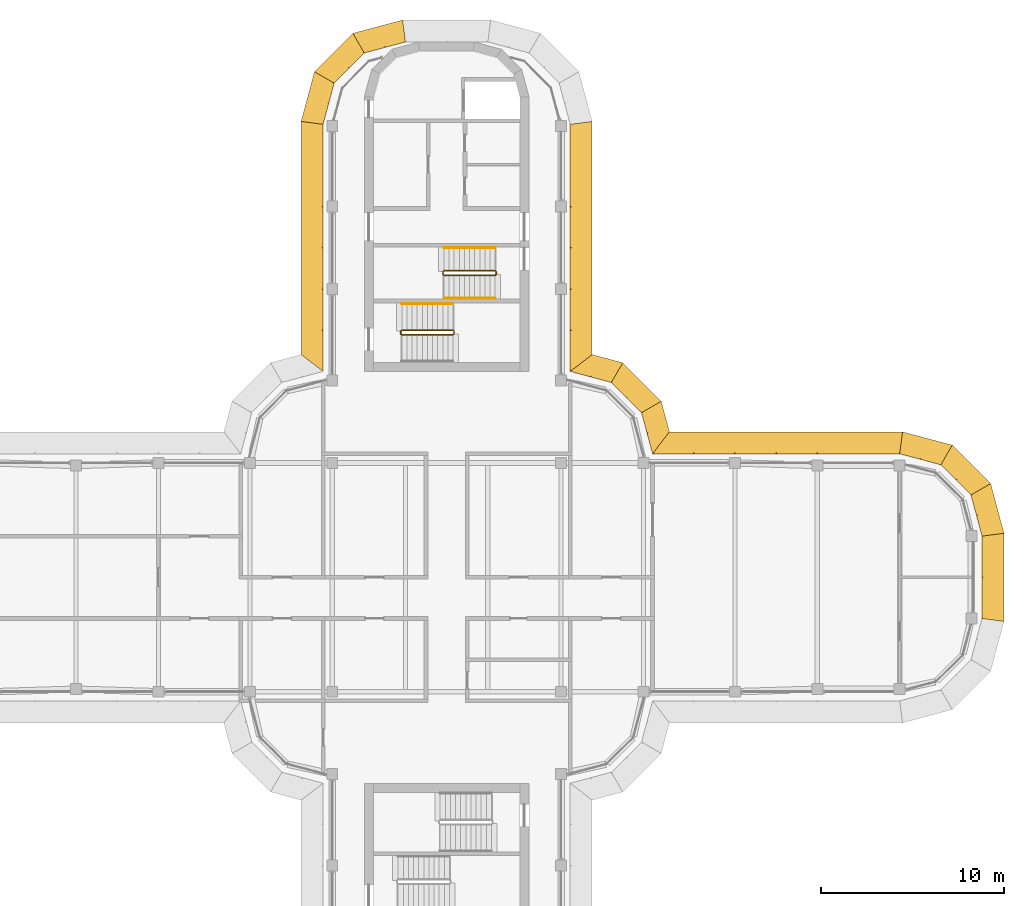
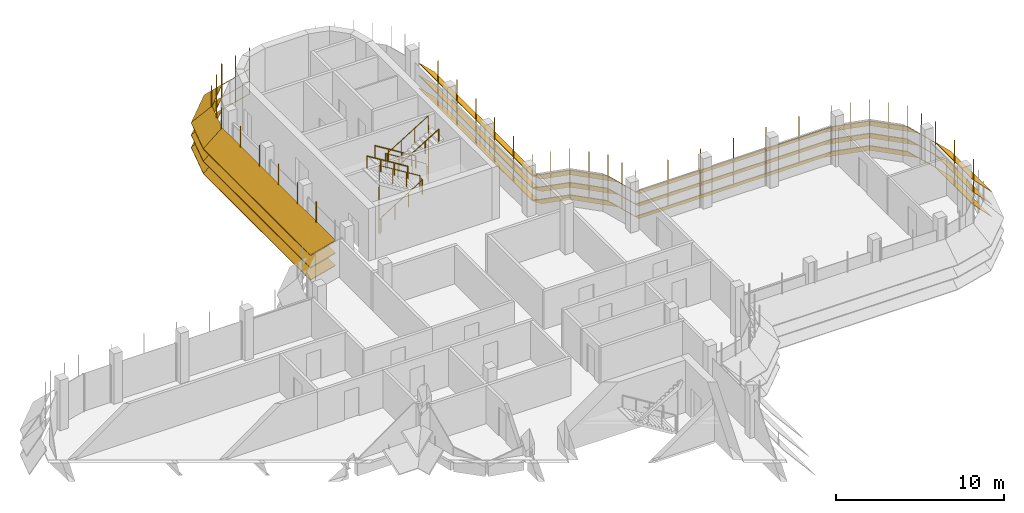
# One storey, part 18 of 19: 7 shading devices, 5 railings.
"""IFC4 building model written with IfcOpenShell, lengths in metres."""

from ifc_helpers import new_model, si_unit, direction, frame, origin, origin_2d, place, context, subcontext, project, spatial, polyline, circle, outline, extrude, faceted_brep, source, transform, mapped, material, type_object, element, save


model = new_model("IFC4")

# Units and contexts
model_context = context("Model", 3, precision=1e-05, world=origin(), true_north=direction((0.0, 1.0)))
body_context = subcontext(model_context, "Body", "Model", "MODEL_VIEW")
ifc_project = project(units=[si_unit("LENGTHUNIT", "METRE"), si_unit("AREAUNIT", "SQUARE_METRE"), si_unit("VOLUMEUNIT", "CUBIC_METRE"), si_unit("PLANEANGLEUNIT", "RADIAN"), si_unit("MASSUNIT", "GRAM", prefix="KILO")], contexts=[model_context])

# Site, building, storey
site_placement = place(None, origin())
site = spatial("IfcSite", under=ifc_project, at=site_placement, CompositionType="ELEMENT")
building_placement = place(site_placement, origin())
building = spatial("IfcBuilding", under=site, at=building_placement, Name="Zarbagh Exchange Tower", CompositionType="ELEMENT")
storey_placement = place(building_placement, frame((0.0, 0.0, 276.39990234375)))
storey = spatial("IfcBuildingStorey", under=building, at=storey_placement, Name="L68", CompositionType="ELEMENT", Elevation=276.39990234375)

# Railings
ifc_material_1 = material(Name="Stainless steel", Category="steel")
railing_type_1 = type_object("IfcRailingType", Name="Stair guard 1100 mm", PredefinedType="GUARDRAIL", material=ifc_material_1)
railing_1_placement = place(storey_placement, frame((2.64990234375, 16.75, 0.1728515625)))
element("IfcRailing", 1, at=railing_1_placement, inside=storey, type_object=railing_type_1, Name="ST1 stair guard 1", PredefinedType="GUARDRAIL", context=body_context, shape_type="SweptSolid", body=[
    extrude(circle(Radius=0.02392578125, at=origin_2d()), frame((0.0, 0.0, 1.076171875), z_axis=(-0.851069175582, 0.0, 0.525053576669), x_axis=(0.0, -1.0, 0.0)), (0.0, 0.0, 1.0), 3.289794921875),
    extrude(circle(Radius=0.02392578125, at=origin_2d()), frame((-2.7998046875, 0.0, 2.80322265625), z_axis=(-0.707106781187, -0.707106781187, 0.0), x_axis=(0.707106781187, -0.707106781187, 0.0)), (0.0, 0.0, 1.0), 0.07080078125),
    extrude(circle(Radius=0.02392578125, at=origin_2d()), frame((-2.849853515625, -0.050048828125, 2.80322265625), z_axis=(0.0, -1.0, 0.0), x_axis=(1.0, 0.0, 0.0)), (0.0, 0.0, 1.0), 0.14990234375),
    extrude(circle(Radius=0.02392578125, at=origin_2d()), frame((-2.849853515625, -0.199951171875, 2.80322265625), z_axis=(0.268277960024, -0.268277960024, 0.925231793839), x_axis=(0.707106781187, 0.707106781187, 0.0)), (0.0, 0.0, 1.0), 0.1865234375),
    extrude(circle(Radius=0.02392578125, at=origin_2d()), frame((-2.7998046875, -0.25, 2.97607421875), z_axis=(0.851069175582, 0.0, 0.525053576669), x_axis=(0.0, 1.0, 0.0)), (0.0, 0.0, 1.0), 3.289794921875),
    extrude(circle(Radius=0.02392578125, at=origin_2d()), frame((0.0, -0.25, 4.703125), z_axis=(0.013168290981, 0.013168290981, -0.999826581076), x_axis=(-0.707106781187, 0.707106781187, 0.0)), (0.0, 0.0, 1.0), 3.80078125),
    extrude(circle(Radius=0.02392578125, at=origin_2d()), frame((0.050048828125, -0.199951171875, 0.9033203125), z_axis=(0.0, 1.0, 0.0), x_axis=(-1.0, 0.0, 0.0)), (0.0, 0.0, 1.0), 0.14990234375),
    extrude(circle(Radius=0.02099609375, at=origin_2d()), origin(), (0.0, 0.0, 1.0), 1.052001953125),
    extrude(circle(Radius=0.02099609375, at=origin_2d()), frame((-0.933349609375, 0.0, 0.57568359375)), (0.0, 0.0, 1.0), 1.052001953125),
    extrude(circle(Radius=0.02099609375, at=origin_2d()), frame((-1.866455078125, 0.0, 1.151611328125)), (0.0, 0.0, 1.0), 1.052001953125),
    extrude(circle(Radius=0.02099609375, at=origin_2d()), frame((-2.7998046875, 0.0, 1.727294921875)), (0.0, 0.0, 1.0), 1.052001953125),
    extrude(circle(Radius=0.02099609375, at=origin_2d()), frame((-2.849853515625, -0.050048828125, 1.727294921875)), (0.0, 0.0, 1.0), 1.052001953125),
    extrude(circle(Radius=0.02099609375, at=origin_2d()), frame((-2.849853515625, -0.199951171875, 1.727294921875)), (0.0, 0.0, 1.0), 1.052001953125),
    extrude(circle(Radius=0.02099609375, at=origin_2d()), frame((-2.7998046875, -0.25, 1.89990234375)), (0.0, 0.0, 1.0), 1.052001953125),
    extrude(circle(Radius=0.02099609375, at=origin_2d()), frame((-1.866455078125, -0.25, 2.4755859375)), (0.0, 0.0, 1.0), 1.052001953125),
    extrude(circle(Radius=0.02099609375, at=origin_2d()), frame((-0.933349609375, -0.25, 3.051513671875)), (0.0, 0.0, 1.0), 1.052001953125),
    extrude(circle(Radius=0.02099609375, at=origin_2d()), frame((0.0, -0.25, 3.627197265625)), (0.0, 0.0, 1.0), 1.052001953125),
    extrude(circle(Radius=0.02099609375, at=origin_2d()), frame((0.012451171875, -0.237548828125, 2.67724609375)), (0.0, 0.0, 1.0), 1.052001953125),
    extrude(circle(Radius=0.02099609375, at=origin_2d()), frame((0.02490234375, -0.22509765625, 1.72705078125)), (0.0, 0.0, 1.0), 1.052001953125),
    extrude(circle(Radius=0.02099609375, at=origin_2d()), frame((0.03759765625, -0.21240234375, 0.777099609375)), (0.0, 0.0, 1.0), 1.052001953125),
    extrude(circle(Radius=0.02099609375, at=origin_2d()), frame((0.050048828125, -0.199951171875, -0.1728515625)), (0.0, 0.0, 1.0), 1.052001953125),
    extrude(circle(Radius=0.02099609375, at=origin_2d()), frame((0.050048828125, -0.050048828125, -0.1728515625)), (0.0, 0.0, 1.0), 1.052001953125),
])
railing_2_placement = place(storey_placement, frame((0.35009765625, 13.5, 2.07275390625)))
element("IfcRailing", 2, at=railing_2_placement, inside=storey, type_object=railing_type_1, Name="ST2 stair guard 1", PredefinedType="GUARDRAIL", context=body_context, shape_type="SweptSolid", body=[
    extrude(circle(Radius=0.02392578125, at=origin_2d()), frame((0.0, 0.0, 1.076171875), z_axis=(-0.851089632645, 0.0, 0.525020415988), x_axis=(0.0, -1.0, 0.0)), (0.0, 0.0, 1.0), 3.2900390625),
    extrude(circle(Radius=0.02392578125, at=origin_2d()), frame((-2.800048828125, 0.0, 2.80322265625), z_axis=(-0.013168290981, -0.013168290981, -0.999826581076), x_axis=(0.707106781187, -0.707106781187, 0.0)), (0.0, 0.0, 1.0), 3.80078125),
    extrude(circle(Radius=0.02392578125, at=origin_2d()), frame((-2.85009765625, -0.050048828125, -0.99658203125), z_axis=(0.0, -1.0, 0.0), x_axis=(1.0, 0.0, 0.0)), (0.0, 0.0, 1.0), 0.14990234375),
    extrude(circle(Radius=0.02392578125, at=origin_2d()), frame((-2.85009765625, -0.199951171875, -0.99658203125), z_axis=(0.267953482034, -0.267953482034, 0.925419830635), x_axis=(0.707106781187, 0.707106781187, 0.0)), (0.0, 0.0, 1.0), 0.186767578125),
    extrude(circle(Radius=0.02392578125, at=origin_2d()), frame((-2.800048828125, -0.25, -0.82373046875), z_axis=(0.851089632645, 0.0, 0.525020415988), x_axis=(0.0, 1.0, 0.0)), (0.0, 0.0, 1.0), 3.2900390625),
    extrude(circle(Radius=0.02392578125, at=origin_2d()), frame((0.0, -0.25, 0.9033203125), z_axis=(0.705375805398, 0.708833529934, 0.0), x_axis=(-0.708833529934, 0.705375805398, 0.0)), (0.0, 0.0, 1.0), 0.070556640625),
    extrude(circle(Radius=0.02392578125, at=origin_2d()), frame((0.0498046875, -0.199951171875, 0.9033203125), z_axis=(0.0, 1.0, 0.0), x_axis=(-1.0, 0.0, 0.0)), (0.0, 0.0, 1.0), 0.14990234375),
    extrude(circle(Radius=0.02099609375, at=origin_2d()), origin(), (0.0, 0.0, 1.0), 1.052001953125),
    extrude(circle(Radius=0.02099609375, at=origin_2d()), frame((-0.933349609375, 0.0, 0.57568359375)), (0.0, 0.0, 1.0), 1.052001953125),
    extrude(circle(Radius=0.02099609375, at=origin_2d()), frame((-1.86669921875, 0.0, 1.151611328125)), (0.0, 0.0, 1.0), 1.052001953125),
    extrude(circle(Radius=0.02099609375, at=origin_2d()), frame((-2.800048828125, 0.0, 1.727294921875)), (0.0, 0.0, 1.0), 1.052001953125),
    extrude(circle(Radius=0.02099609375, at=origin_2d()), frame((-2.8125, -0.012451171875, 0.77734375)), (0.0, 0.0, 1.0), 1.052001953125),
    extrude(circle(Radius=0.02099609375, at=origin_2d()), frame((-2.8251953125, -0.02490234375, -0.1728515625)), (0.0, 0.0, 1.0), 1.052001953125),
    extrude(circle(Radius=0.02099609375, at=origin_2d()), frame((-2.837646484375, -0.03759765625, -1.122802734375)), (0.0, 0.0, 1.0), 1.052001953125),
    extrude(circle(Radius=0.02099609375, at=origin_2d()), frame((-2.85009765625, -0.050048828125, -2.07275390625)), (0.0, 0.0, 1.0), 1.052001953125),
    extrude(circle(Radius=0.02099609375, at=origin_2d()), frame((-2.85009765625, -0.199951171875, -2.07275390625)), (0.0, 0.0, 1.0), 1.052001953125),
    extrude(circle(Radius=0.02099609375, at=origin_2d()), frame((-2.800048828125, -0.25, -1.89990234375)), (0.0, 0.0, 1.0), 1.052001953125),
    extrude(circle(Radius=0.02099609375, at=origin_2d()), frame((-1.86669921875, -0.25, -1.32421875)), (0.0, 0.0, 1.0), 1.052001953125),
    extrude(circle(Radius=0.02099609375, at=origin_2d()), frame((-0.933349609375, -0.25, -0.748291015625)), (0.0, 0.0, 1.0), 1.052001953125),
    extrude(circle(Radius=0.02099609375, at=origin_2d()), frame((0.0, -0.25, -0.172607421875)), (0.0, 0.0, 1.0), 1.052001953125),
    extrude(circle(Radius=0.02099609375, at=origin_2d()), frame((0.0498046875, -0.199951171875, -0.172607421875)), (0.0, 0.0, 1.0), 1.052001953125),
    extrude(circle(Radius=0.02099609375, at=origin_2d()), frame((0.0498046875, -0.050048828125, -0.172607421875)), (0.0, 0.0, 1.0), 1.052001953125),
])
railing_type_2 = type_object("IfcRailingType", Name="Stair handrail 900 mm", PredefinedType="HANDRAIL", material=ifc_material_1)
railing_3_placement = place(storey_placement, frame((2.64990234375, 18.0, 0.1728515625)))
element("IfcRailing", 3, at=railing_3_placement, inside=storey, type_object=railing_type_2, Name="ST1 stair handrail 1", PredefinedType="HANDRAIL", context=body_context, shape_type="SweptSolid", body=[
    extrude(circle(Radius=0.02392578125, at=origin_2d()), frame((0.0, 0.0, 0.8759765625), z_axis=(-0.851069175582, 0.0, 0.525053576669), x_axis=(0.0, -1.0, 0.0)), (0.0, 0.0, 1.0), 3.289794921875),
    extrude(circle(Radius=0.02099609375, at=origin_2d()), origin(), (0.0, 0.0, 1.0), 0.851806640625),
    extrude(circle(Radius=0.02099609375, at=origin_2d()), frame((-0.933349609375, 0.0, 0.57568359375)), (0.0, 0.0, 1.0), 0.851806640625),
    extrude(circle(Radius=0.02099609375, at=origin_2d()), frame((-1.866455078125, 0.0, 1.151611328125)), (0.0, 0.0, 1.0), 0.851806640625),
    extrude(circle(Radius=0.02099609375, at=origin_2d()), frame((-2.7998046875, 0.0, 1.727294921875)), (0.0, 0.0, 1.0), 0.851806640625),
])
railing_4_placement = place(storey_placement, frame((-0.14990234375, 15.25, 2.07275390625)))
element("IfcRailing", 4, at=railing_4_placement, inside=storey, type_object=railing_type_2, Name="ST1 stair handrail 2", PredefinedType="HANDRAIL", context=body_context, shape_type="SweptSolid", body=[
    extrude(circle(Radius=0.02392578125, at=origin_2d()), frame((0.0, 0.0, 0.8759765625), z_axis=(0.851069175582, 0.0, 0.525053576669), x_axis=(0.0, 1.0, 0.0)), (0.0, 0.0, 1.0), 3.289794921875),
    extrude(circle(Radius=0.02099609375, at=origin_2d()), origin(), (0.0, 0.0, 1.0), 0.851806640625),
    extrude(circle(Radius=0.02099609375, at=origin_2d()), frame((0.933349609375, 0.0, 0.57568359375)), (0.0, 0.0, 1.0), 0.851806640625),
    extrude(circle(Radius=0.02099609375, at=origin_2d()), frame((1.866455078125, 0.0, 1.151611328125)), (0.0, 0.0, 1.0), 0.851806640625),
    extrude(circle(Radius=0.02099609375, at=origin_2d()), frame((2.7998046875, 0.0, 1.727294921875)), (0.0, 0.0, 1.0), 0.851806640625),
])
railing_5_placement = place(storey_placement, frame((0.35009765625, 14.949951171875, 2.07275390625)))
element("IfcRailing", 5, at=railing_5_placement, inside=storey, type_object=railing_type_2, Name="ST2 stair handrail 2", PredefinedType="HANDRAIL", context=body_context, shape_type="SweptSolid", body=[
    extrude(circle(Radius=0.02392578125, at=origin_2d()), frame((0.0, 0.0, 0.8759765625), z_axis=(-0.851089632645, 0.0, 0.525020415988), x_axis=(0.0, -1.0, 0.0)), (0.0, 0.0, 1.0), 3.2900390625),
    extrude(circle(Radius=0.02099609375, at=origin_2d()), origin(), (0.0, 0.0, 1.0), 0.851806640625),
    extrude(circle(Radius=0.02099609375, at=origin_2d()), frame((-0.933349609375, 0.0, 0.57568359375)), (0.0, 0.0, 1.0), 0.851806640625),
    extrude(circle(Radius=0.02099609375, at=origin_2d()), frame((-1.86669921875, 0.0, 1.151611328125)), (0.0, 0.0, 1.0), 0.851806640625),
    extrude(circle(Radius=0.02099609375, at=origin_2d()), frame((-2.800048828125, 0.0, 1.727294921875)), (0.0, 0.0, 1.0), 0.851806640625),
])

# Shading devices
ifc_material_2 = material(Name="Anodised aluminium blades and brackets", Category="aluminium")
shading_device_type = type_object("IfcShadingDeviceType", Name="SUNSHADE louvre band, 45 degree blades", PredefinedType="JALOUSIE", material=ifc_material_2)
shared_shape_1 = source(origin(), body_context, "Body", "Brep", [
    faceted_brep([(0.0, 0.0, 0.0), (0.0, 0.0, -0.056640625), (-0.157958984375, -1.199951171875, -1.256591796875), (-0.157958984375, -1.199951171875, -1.199951171875), (2.65087890625, -1.199951171875, -1.199951171875), (2.65087890625, -1.199951171875, -1.256591796875), (2.329345703125, 0.0, -0.056640625), (2.329345703125, 0.0, 0.0)], [[[0, 1, 2, 3]], [[4, 5, 6, 7]], [[0, 7, 6, 1]], [[1, 6, 5, 2]], [[2, 5, 4, 3]], [[3, 4, 7, 0]]]),
])
shared_shape_2 = source(origin(), body_context, "Body", "Brep", [
    faceted_brep([(0.0, 0.0, 0.0), (0.0, 0.0, -0.056640625), (-0.321533203125, -1.199951171875, -1.256591796875), (-0.321533203125, -1.199951171875, -1.199951171875), (2.65087890625, -1.199951171875, -1.199951171875), (2.65087890625, -1.199951171875, -1.256591796875), (2.329345703125, 0.0, -0.056640625), (2.329345703125, 0.0, 0.0)], [[[0, 1, 2, 3]], [[4, 5, 6, 7]], [[0, 7, 6, 1]], [[1, 6, 5, 2]], [[2, 5, 4, 3]], [[3, 4, 7, 0]]]),
])
shared_shape_3 = source(origin(), body_context, "Body", "Brep", [
    faceted_brep([(0.0, 0.0, 0.0), (0.0, 0.0, -0.056640625), (-0.321533203125, -1.199951171875, -1.256591796875), (-0.321533203125, -1.199951171875, -1.199951171875), (2.4873046875, -1.199951171875, -1.199951171875), (2.4873046875, -1.199951171875, -1.256591796875), (2.329345703125, 0.0, -0.056640625), (2.329345703125, 0.0, 0.0)], [[[0, 1, 2, 3]], [[4, 5, 6, 7]], [[0, 7, 6, 1]], [[1, 6, 5, 2]], [[2, 5, 4, 3]], [[3, 4, 7, 0]]]),
])
shared_shape_4 = source(origin(), body_context, "Body", "SweptSolid", [
    extrude(outline(polyline([(0.0, -0.012451171875), (0.06005859375, -0.012451171875), (0.06005859375, 0.012451171875), (0.0, 0.012451171875), (0.0, -0.012451171875)])), origin(), (0.0, 0.0, 1.0), 3.366455078125),
])
placement = place(storey_placement, origin())
element("IfcShadingDevice", 6, at=placement, inside=storey, type_object=shading_device_type, Name="SS53 sunshade band", PredefinedType="JALOUSIE", context=body_context, shape_type="MappedRepresentation", body=[
    mapped(shared_shape_1, transform((29.25, 2.25, 2.300048828125), x_axis=(-0.258824779902, 0.965924289636, 0.0), y_axis=(-0.965924289636, -0.258824779902, 0.0), z_axis=(0.0, 0.0, 1.0))),
    mapped(shared_shape_1, transform((29.25, 2.25, 1.400146484375), x_axis=(-0.258824779902, 0.965924289636, 0.0), y_axis=(-0.965924289636, -0.258824779902, 0.0), z_axis=(0.0, 0.0, 1.0))),
    mapped(shared_shape_1, transform((29.25, 2.25, 0.5), x_axis=(-0.258824779902, 0.965924289636, 0.0), y_axis=(-0.965924289636, -0.258824779902, 0.0), z_axis=(0.0, 0.0, 1.0))),
    mapped(shared_shape_2, transform((28.647216796875, 4.5, 2.300048828125), x_axis=(-0.707106781187, 0.707106781187, 0.0), y_axis=(-0.707106781187, -0.707106781187, 0.0), z_axis=(0.0, 0.0, 1.0))),
    mapped(shared_shape_2, transform((28.647216796875, 4.5, 1.400146484375), x_axis=(-0.707106781187, 0.707106781187, 0.0), y_axis=(-0.707106781187, -0.707106781187, 0.0), z_axis=(0.0, 0.0, 1.0))),
    mapped(shared_shape_2, transform((28.647216796875, 4.5, 0.5), x_axis=(-0.707106781187, 0.707106781187, 0.0), y_axis=(-0.707106781187, -0.707106781187, 0.0), z_axis=(0.0, 0.0, 1.0))),
    mapped(shared_shape_3, transform((27.0, 6.147216796875, 2.300048828125), x_axis=(-0.965924289636, 0.258824779902, 0.0), y_axis=(-0.258824779902, -0.965924289636, 0.0), z_axis=(0.0, 0.0, 1.0))),
    mapped(shared_shape_3, transform((27.0, 6.147216796875, 1.400146484375), x_axis=(-0.965924289636, 0.258824779902, 0.0), y_axis=(-0.258824779902, -0.965924289636, 0.0), z_axis=(0.0, 0.0, 1.0))),
    mapped(shared_shape_3, transform((27.0, 6.147216796875, 0.5), x_axis=(-0.965924289636, 0.258824779902, 0.0), y_axis=(-0.258824779902, -0.965924289636, 0.0), z_axis=(0.0, 0.0, 1.0))),
    mapped(shared_shape_4, transform((29.25, 2.25, 0.41357421875), x_axis=(0.991444457092, 0.130529263012, 0.0), y_axis=(-0.130529263012, 0.991444457092, 0.0), z_axis=(0.0, 0.0, 1.0))),
    mapped(shared_shape_4, transform((28.948486328125, 3.375, 0.41357421875), x_axis=(0.96592421511, 0.258825058029, 0.0), y_axis=(-0.258825058029, 0.96592421511, 0.0), z_axis=(0.0, 0.0, 1.0))),
    mapped(shared_shape_4, transform((28.647216796875, 4.5, 0.41357421875), x_axis=(0.866023812018, 0.50000275701, 0.0), y_axis=(-0.50000275701, 0.866023812018, 0.0), z_axis=(0.0, 0.0, 1.0))),
    mapped(shared_shape_4, transform((27.823486328125, 5.323486328125, 0.41357421875), x_axis=(0.707106781187, 0.707106781187, 0.0), y_axis=(-0.707106781187, 0.707106781187, 0.0), z_axis=(0.0, 0.0, 1.0))),
    mapped(shared_shape_4, transform((27.0, 6.147216796875, 0.41357421875), x_axis=(0.50000275701, 0.866023812018, 0.0), y_axis=(-0.866023812018, 0.50000275701, 0.0), z_axis=(0.0, 0.0, 1.0))),
    mapped(shared_shape_4, transform((25.875, 6.448486328125, 0.41357421875), x_axis=(0.258825058029, 0.96592421511, 0.0), y_axis=(-0.96592421511, 0.258825058029, 0.0), z_axis=(0.0, 0.0, 1.0))),
])
element("IfcShadingDevice", 7, at=placement, inside=storey, type_object=shading_device_type, Name="SS48 sunshade band", PredefinedType="JALOUSIE", context=body_context, shape_type="MappedRepresentation", body=[
    mapped(shared_shape_1, transform((-2.25, 29.25, 2.300048828125), x_axis=(-0.965924289636, -0.258824779902, 0.0), y_axis=(0.258824779902, -0.965924289636, 0.0), z_axis=(0.0, 0.0, 1.0))),
    mapped(shared_shape_1, transform((-2.25, 29.25, 1.400146484375), x_axis=(-0.965924289636, -0.258824779902, 0.0), y_axis=(0.258824779902, -0.965924289636, 0.0), z_axis=(0.0, 0.0, 1.0))),
    mapped(shared_shape_1, transform((-2.25, 29.25, 0.5), x_axis=(-0.965924289636, -0.258824779902, 0.0), y_axis=(0.258824779902, -0.965924289636, 0.0), z_axis=(0.0, 0.0, 1.0))),
    mapped(shared_shape_2, transform((-4.5, 28.647216796875, 2.300048828125), x_axis=(-0.707106781187, -0.707106781187, 0.0), y_axis=(0.707106781187, -0.707106781187, 0.0), z_axis=(0.0, 0.0, 1.0))),
    mapped(shared_shape_2, transform((-4.5, 28.647216796875, 1.400146484375), x_axis=(-0.707106781187, -0.707106781187, 0.0), y_axis=(0.707106781187, -0.707106781187, 0.0), z_axis=(0.0, 0.0, 1.0))),
    mapped(shared_shape_2, transform((-4.5, 28.647216796875, 0.5), x_axis=(-0.707106781187, -0.707106781187, 0.0), y_axis=(0.707106781187, -0.707106781187, 0.0), z_axis=(0.0, 0.0, 1.0))),
    mapped(shared_shape_3, transform((-6.147216796875, 27.0, 2.300048828125), x_axis=(-0.258824779902, -0.965924289636, 0.0), y_axis=(0.965924289636, -0.258824779902, 0.0), z_axis=(0.0, 0.0, 1.0))),
    mapped(shared_shape_3, transform((-6.147216796875, 27.0, 1.400146484375), x_axis=(-0.258824779902, -0.965924289636, 0.0), y_axis=(0.965924289636, -0.258824779902, 0.0), z_axis=(0.0, 0.0, 1.0))),
    mapped(shared_shape_3, transform((-6.147216796875, 27.0, 0.5), x_axis=(-0.258824779902, -0.965924289636, 0.0), y_axis=(0.965924289636, -0.258824779902, 0.0), z_axis=(0.0, 0.0, 1.0))),
    mapped(shared_shape_4, transform((-2.25, 29.25, 0.41357421875), x_axis=(-0.130529263012, 0.991444457092, 0.0), y_axis=(-0.991444457092, -0.130529263012, 0.0), z_axis=(0.0, 0.0, 1.0))),
    mapped(shared_shape_4, transform((-3.375, 28.948486328125, 0.41357421875), x_axis=(-0.258825058029, 0.96592421511, 0.0), y_axis=(-0.96592421511, -0.258825058029, 0.0), z_axis=(0.0, 0.0, 1.0))),
    mapped(shared_shape_4, transform((-4.5, 28.647216796875, 0.41357421875), x_axis=(-0.50000275701, 0.866023812018, 0.0), y_axis=(-0.866023812018, -0.50000275701, 0.0), z_axis=(0.0, 0.0, 1.0))),
    mapped(shared_shape_4, transform((-5.323486328125, 27.823486328125, 0.41357421875), x_axis=(-0.707106781187, 0.707106781187, 0.0), y_axis=(-0.707106781187, -0.707106781187, 0.0), z_axis=(0.0, 0.0, 1.0))),
    mapped(shared_shape_4, transform((-6.147216796875, 27.0, 0.41357421875), x_axis=(-0.866023812018, 0.50000275701, 0.0), y_axis=(-0.50000275701, -0.866023812018, 0.0), z_axis=(0.0, 0.0, 1.0))),
    mapped(shared_shape_4, transform((-6.448486328125, 25.875, 0.41357421875), x_axis=(-0.96592421511, 0.258825058029, 0.0), y_axis=(-0.258825058029, -0.96592421511, 0.0), z_axis=(0.0, 0.0, 1.0))),
])
shared_shape_5 = source(origin(), body_context, "Body", "Brep", [
    faceted_brep([(0.0, 0.0, 0.0), (0.0, 0.0, -0.056640625), (0.9208984375, -1.199951171875, -1.256591796875), (0.9208984375, -1.199951171875, -1.199951171875), (2.65087890625, -1.199951171875, -1.199951171875), (2.65087890625, -1.199951171875, -1.256591796875), (2.329345703125, 0.0, -0.056640625), (2.329345703125, 0.0, 0.0)], [[[0, 1, 2, 3]], [[4, 5, 6, 7]], [[0, 7, 6, 1]], [[1, 6, 5, 2]], [[2, 5, 4, 3]], [[3, 4, 7, 0]]]),
])
shared_shape_6 = source(origin(), body_context, "Body", "Brep", [
    faceted_brep([(0.0, 0.0, 0.0), (0.0, 0.0, -0.056640625), (-0.321533203125, -1.199951171875, -1.256591796875), (-0.321533203125, -1.199951171875, -1.199951171875), (1.40869140625, -1.199951171875, -1.199951171875), (1.40869140625, -1.199951171875, -1.256591796875), (2.329345703125, 0.0, -0.056640625), (2.329345703125, 0.0, 0.0)], [[[0, 1, 2, 3]], [[4, 5, 6, 7]], [[0, 7, 6, 1]], [[1, 6, 5, 2]], [[2, 5, 4, 3]], [[3, 4, 7, 0]]]),
])
element("IfcShadingDevice", 8, at=placement, inside=storey, type_object=shading_device_type, Name="SS09 sunshade band", PredefinedType="JALOUSIE", context=body_context, shape_type="MappedRepresentation", body=[
    mapped(shared_shape_5, transform((11.25, 6.75, 2.300048828125), x_axis=(-0.258824779902, 0.965924289636, 0.0), y_axis=(-0.965924289636, -0.258824779902, 0.0), z_axis=(0.0, 0.0, 1.0))),
    mapped(shared_shape_5, transform((11.25, 6.75, 1.400146484375), x_axis=(-0.258824779902, 0.965924289636, 0.0), y_axis=(-0.965924289636, -0.258824779902, 0.0), z_axis=(0.0, 0.0, 1.0))),
    mapped(shared_shape_5, transform((11.25, 6.75, 0.5), x_axis=(-0.258824779902, 0.965924289636, 0.0), y_axis=(-0.965924289636, -0.258824779902, 0.0), z_axis=(0.0, 0.0, 1.0))),
    mapped(shared_shape_2, transform((10.647216796875, 9.0, 2.300048828125), x_axis=(-0.707106781187, 0.707106781187, 0.0), y_axis=(-0.707106781187, -0.707106781187, 0.0), z_axis=(0.0, 0.0, 1.0))),
    mapped(shared_shape_2, transform((10.647216796875, 9.0, 1.400146484375), x_axis=(-0.707106781187, 0.707106781187, 0.0), y_axis=(-0.707106781187, -0.707106781187, 0.0), z_axis=(0.0, 0.0, 1.0))),
    mapped(shared_shape_2, transform((10.647216796875, 9.0, 0.5), x_axis=(-0.707106781187, 0.707106781187, 0.0), y_axis=(-0.707106781187, -0.707106781187, 0.0), z_axis=(0.0, 0.0, 1.0))),
    mapped(shared_shape_6, transform((9.0, 10.647216796875, 2.300048828125), x_axis=(-0.965924289636, 0.258824779902, 0.0), y_axis=(-0.258824779902, -0.965924289636, 0.0), z_axis=(0.0, 0.0, 1.0))),
    mapped(shared_shape_6, transform((9.0, 10.647216796875, 1.400146484375), x_axis=(-0.965924289636, 0.258824779902, 0.0), y_axis=(-0.258824779902, -0.965924289636, 0.0), z_axis=(0.0, 0.0, 1.0))),
    mapped(shared_shape_6, transform((9.0, 10.647216796875, 0.5), x_axis=(-0.965924289636, 0.258824779902, 0.0), y_axis=(-0.258824779902, -0.965924289636, 0.0), z_axis=(0.0, 0.0, 1.0))),
    mapped(shared_shape_4, transform((11.25, 6.75, 0.41357421875), x_axis=(0.608758892, 0.793355287, 0.0), y_axis=(-0.793355287, 0.608758892, 0.0), z_axis=(0.0, 0.0, 1.0))),
    mapped(shared_shape_4, transform((10.948486328125, 7.875, 0.41357421875), x_axis=(0.96592421511, 0.258825058029, 0.0), y_axis=(-0.258825058029, 0.96592421511, 0.0), z_axis=(0.0, 0.0, 1.0))),
    mapped(shared_shape_4, transform((10.647216796875, 9.0, 0.41357421875), x_axis=(0.866023812018, 0.50000275701, 0.0), y_axis=(-0.50000275701, 0.866023812018, 0.0), z_axis=(0.0, 0.0, 1.0))),
    mapped(shared_shape_4, transform((9.823486328125, 9.823486328125, 0.41357421875), x_axis=(0.707106781187, 0.707106781187, 0.0), y_axis=(-0.707106781187, 0.707106781187, 0.0), z_axis=(0.0, 0.0, 1.0))),
    mapped(shared_shape_4, transform((9.0, 10.647216796875, 0.41357421875), x_axis=(0.50000275701, 0.866023812018, 0.0), y_axis=(-0.866023812018, 0.50000275701, 0.0), z_axis=(0.0, 0.0, 1.0))),
    mapped(shared_shape_4, transform((7.875, 10.948486328125, 0.41357421875), x_axis=(0.258825058029, 0.96592421511, 0.0), y_axis=(-0.96592421511, 0.258825058029, 0.0), z_axis=(0.0, 0.0, 1.0))),
])
shared_shape_7 = source(origin(), body_context, "Body", "Brep", [
    faceted_brep([(0.0, 0.0, 0.0), (0.0, 0.0, -0.056640625), (-0.157958984375, -1.199951171875, -1.256591796875), (-0.157958984375, -1.199951171875, -1.199951171875), (4.657958984375, -1.199951171875, -1.199951171875), (4.657958984375, -1.199951171875, -1.256591796875), (4.5, 0.0, -0.056640625), (4.5, 0.0, 0.0)], [[[0, 1, 2, 3]], [[4, 5, 6, 7]], [[0, 7, 6, 1]], [[1, 6, 5, 2]], [[2, 5, 4, 3]], [[3, 4, 7, 0]]]),
])
element("IfcShadingDevice", 9, at=placement, inside=storey, type_object=shading_device_type, Name="SS52 sunshade band", PredefinedType="JALOUSIE", context=body_context, shape_type="MappedRepresentation", body=[
    mapped(shared_shape_7, transform((29.25, -2.25, 2.300048828125), x_axis=(0.0, 1.0, 0.0), y_axis=(-1.0, 0.0, 0.0), z_axis=(0.0, 0.0, 1.0))),
    mapped(shared_shape_7, transform((29.25, -2.25, 1.400146484375), x_axis=(0.0, 1.0, 0.0), y_axis=(-1.0, 0.0, 0.0), z_axis=(0.0, 0.0, 1.0))),
    mapped(shared_shape_7, transform((29.25, -2.25, 0.5), x_axis=(0.0, 1.0, 0.0), y_axis=(-1.0, 0.0, 0.0), z_axis=(0.0, 0.0, 1.0))),
    mapped(shared_shape_4, transform((29.25, -2.25, 0.41357421875), x_axis=(0.991444457092, -0.130529263012, 0.0), y_axis=(0.130529263012, 0.991444457092, 0.0), z_axis=(0.0, 0.0, 1.0))),
    mapped(shared_shape_4, transform((29.25, 0.0, 0.41357421875), x_axis=(1.0, 0.0, 0.0), y_axis=(0.0, 1.0, 0.0), z_axis=(0.0, 0.0, 1.0))),
])
shared_shape_8 = source(origin(), body_context, "Body", "Brep", [
    faceted_brep([(0.0, 0.0, 0.0), (0.0, 0.0, -0.056640625), (-0.157958984375, -1.199951171875, -1.256591796875), (-0.157958984375, -1.199951171875, -1.199951171875), (12.5791015625, -1.199951171875, -1.199951171875), (12.5791015625, -1.199951171875, -1.256591796875), (13.5, 0.0, -0.056640625), (13.5, 0.0, 0.0)], [[[0, 1, 2, 3]], [[4, 5, 6, 7]], [[0, 7, 6, 1]], [[1, 6, 5, 2]], [[2, 5, 4, 3]], [[3, 4, 7, 0]]]),
])
element("IfcShadingDevice", 10, at=placement, inside=storey, type_object=shading_device_type, Name="SS54 sunshade band", PredefinedType="JALOUSIE", context=body_context, shape_type="MappedRepresentation", body=[
    mapped(shared_shape_8, transform((24.75, 6.75, 2.300048828125), x_axis=(-1.0, 0.0, 0.0), y_axis=(0.0, -1.0, 0.0), z_axis=(0.0, 0.0, 1.0))),
    mapped(shared_shape_8, transform((24.75, 6.75, 1.400146484375), x_axis=(-1.0, 0.0, 0.0), y_axis=(0.0, -1.0, 0.0), z_axis=(0.0, 0.0, 1.0))),
    mapped(shared_shape_8, transform((24.75, 6.75, 0.5), x_axis=(-1.0, 0.0, 0.0), y_axis=(0.0, -1.0, 0.0), z_axis=(0.0, 0.0, 1.0))),
    mapped(shared_shape_4, transform((24.75, 6.75, 0.41357421875), x_axis=(0.130529263012, 0.991444457092, 0.0), y_axis=(-0.991444457092, 0.130529263012, 0.0), z_axis=(0.0, 0.0, 1.0))),
    mapped(shared_shape_4, transform((22.5, 6.75, 0.41357421875), x_axis=(0.0, 1.0, 0.0), y_axis=(-1.0, 0.0, 0.0), z_axis=(0.0, 0.0, 1.0))),
    mapped(shared_shape_4, transform((20.25, 6.75, 0.41357421875), x_axis=(0.0, 1.0, 0.0), y_axis=(-1.0, 0.0, 0.0), z_axis=(0.0, 0.0, 1.0))),
    mapped(shared_shape_4, transform((18.0, 6.75, 0.41357421875), x_axis=(0.0, 1.0, 0.0), y_axis=(-1.0, 0.0, 0.0), z_axis=(0.0, 0.0, 1.0))),
    mapped(shared_shape_4, transform((15.75, 6.75, 0.41357421875), x_axis=(0.0, 1.0, 0.0), y_axis=(-1.0, 0.0, 0.0), z_axis=(0.0, 0.0, 1.0))),
    mapped(shared_shape_4, transform((13.5, 6.75, 0.41357421875), x_axis=(0.0, 1.0, 0.0), y_axis=(-1.0, 0.0, 0.0), z_axis=(0.0, 0.0, 1.0))),
])
shared_shape_9 = source(origin(), body_context, "Body", "Brep", [
    faceted_brep([(0.0, 0.0, 0.0), (0.0, 0.0, -0.056640625), (0.9208984375, -1.199951171875, -1.256591796875), (0.9208984375, -1.199951171875, -1.199951171875), (13.657958984375, -1.199951171875, -1.199951171875), (13.657958984375, -1.199951171875, -1.256591796875), (13.5, 0.0, -0.056640625), (13.5, 0.0, 0.0)], [[[0, 1, 2, 3]], [[4, 5, 6, 7]], [[0, 7, 6, 1]], [[1, 6, 5, 2]], [[2, 5, 4, 3]], [[3, 4, 7, 0]]]),
])
element("IfcShadingDevice", 11, at=placement, inside=storey, type_object=shading_device_type, Name="SS45 sunshade band", PredefinedType="JALOUSIE", context=body_context, shape_type="MappedRepresentation", body=[
    mapped(shared_shape_9, transform((6.75, 11.25, 2.300048828125), x_axis=(0.0, 1.0, 0.0), y_axis=(-1.0, 0.0, 0.0), z_axis=(0.0, 0.0, 1.0))),
    mapped(shared_shape_9, transform((6.75, 11.25, 1.400146484375), x_axis=(0.0, 1.0, 0.0), y_axis=(-1.0, 0.0, 0.0), z_axis=(0.0, 0.0, 1.0))),
    mapped(shared_shape_9, transform((6.75, 11.25, 0.5), x_axis=(0.0, 1.0, 0.0), y_axis=(-1.0, 0.0, 0.0), z_axis=(0.0, 0.0, 1.0))),
    mapped(shared_shape_4, transform((6.75, 11.25, 0.41357421875), x_axis=(0.793355287, 0.608758892, 0.0), y_axis=(-0.608758892, 0.793355287, 0.0), z_axis=(0.0, 0.0, 1.0))),
    mapped(shared_shape_4, transform((6.75, 13.5, 0.41357421875), x_axis=(1.0, 0.0, 0.0), y_axis=(0.0, 1.0, 0.0), z_axis=(0.0, 0.0, 1.0))),
    mapped(shared_shape_4, transform((6.75, 15.75, 0.41357421875), x_axis=(1.0, 0.0, 0.0), y_axis=(0.0, 1.0, 0.0), z_axis=(0.0, 0.0, 1.0))),
    mapped(shared_shape_4, transform((6.75, 18.0, 0.41357421875), x_axis=(1.0, 0.0, 0.0), y_axis=(0.0, 1.0, 0.0), z_axis=(0.0, 0.0, 1.0))),
    mapped(shared_shape_4, transform((6.75, 20.25, 0.41357421875), x_axis=(1.0, 0.0, 0.0), y_axis=(0.0, 1.0, 0.0), z_axis=(0.0, 0.0, 1.0))),
    mapped(shared_shape_4, transform((6.75, 22.5, 0.41357421875), x_axis=(1.0, 0.0, 0.0), y_axis=(0.0, 1.0, 0.0), z_axis=(0.0, 0.0, 1.0))),
])
element("IfcShadingDevice", 12, at=placement, inside=storey, type_object=shading_device_type, Name="SS49 sunshade band", PredefinedType="JALOUSIE", context=body_context, shape_type="MappedRepresentation", body=[
    mapped(shared_shape_8, transform((-6.75, 24.75, 2.300048828125), x_axis=(0.0, -1.0, 0.0), y_axis=(1.0, 0.0, 0.0), z_axis=(0.0, 0.0, 1.0))),
    mapped(shared_shape_8, transform((-6.75, 24.75, 1.400146484375), x_axis=(0.0, -1.0, 0.0), y_axis=(1.0, 0.0, 0.0), z_axis=(0.0, 0.0, 1.0))),
    mapped(shared_shape_8, transform((-6.75, 24.75, 0.5), x_axis=(0.0, -1.0, 0.0), y_axis=(1.0, 0.0, 0.0), z_axis=(0.0, 0.0, 1.0))),
    mapped(shared_shape_4, transform((-6.75, 24.75, 0.41357421875), x_axis=(-0.991444457092, 0.130529263012, 0.0), y_axis=(-0.130529263012, -0.991444457092, 0.0), z_axis=(0.0, 0.0, 1.0))),
    mapped(shared_shape_4, transform((-6.75, 22.5, 0.41357421875), x_axis=(-1.0, 0.0, 0.0), y_axis=(0.0, -1.0, 0.0), z_axis=(0.0, 0.0, 1.0))),
    mapped(shared_shape_4, transform((-6.75, 20.25, 0.41357421875), x_axis=(-1.0, 0.0, 0.0), y_axis=(0.0, -1.0, 0.0), z_axis=(0.0, 0.0, 1.0))),
    mapped(shared_shape_4, transform((-6.75, 18.0, 0.41357421875), x_axis=(-1.0, 0.0, 0.0), y_axis=(0.0, -1.0, 0.0), z_axis=(0.0, 0.0, 1.0))),
    mapped(shared_shape_4, transform((-6.75, 15.75, 0.41357421875), x_axis=(-1.0, 0.0, 0.0), y_axis=(0.0, -1.0, 0.0), z_axis=(0.0, 0.0, 1.0))),
    mapped(shared_shape_4, transform((-6.75, 13.5, 0.41357421875), x_axis=(-1.0, 0.0, 0.0), y_axis=(0.0, -1.0, 0.0), z_axis=(0.0, 0.0, 1.0))),
])

save(model, "model.ifc")
